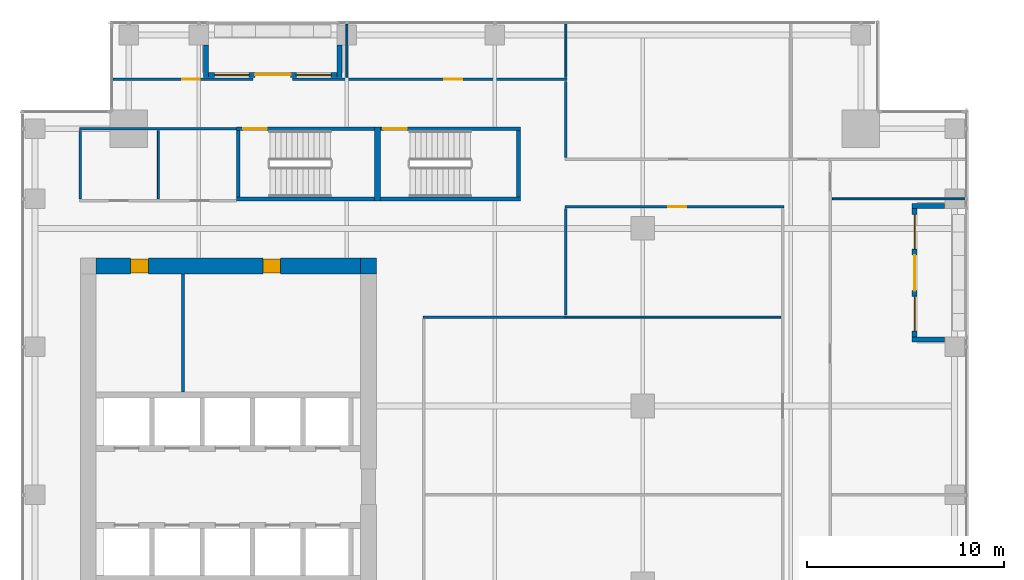
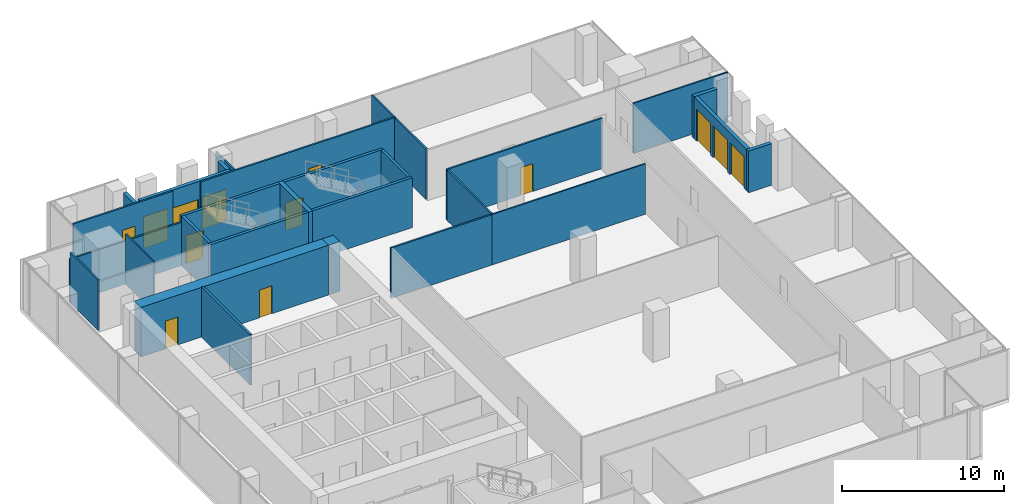
# One storey, part 36 of 40: 29 walls, 9 doors, 4 windows, 13 openings.
"""IFC4 building model written with IfcOpenShell, lengths in metres."""

from ifc_helpers import new_model, si_unit, direction, frame, frame_2d, origin, place, context, subcontext, project, spatial, rectangle, extrude, source, transform, mapped, material, layer, layer_set, type_object, element, fill, save


model = new_model("IFC4")

# Units and contexts
model_context = context("Model", 3, precision=1e-05, world=origin(), true_north=direction((0.0, 1.0)))
body_context = subcontext(model_context, "Body", "Model", "MODEL_VIEW")
ifc_project = project(units=[si_unit("LENGTHUNIT", "METRE"), si_unit("AREAUNIT", "SQUARE_METRE"), si_unit("VOLUMEUNIT", "CUBIC_METRE"), si_unit("PLANEANGLEUNIT", "RADIAN"), si_unit("MASSUNIT", "GRAM", prefix="KILO")], contexts=[model_context])

# Site, building, storey
site_placement = place(None, origin())
site = spatial("IfcSite", under=ifc_project, at=site_placement, CompositionType="ELEMENT")
building_placement = place(site_placement, origin())
building = spatial("IfcBuilding", under=site, at=building_placement, Name="Khomas Fold Tower", CompositionType="ELEMENT")
storey_placement = place(building_placement, frame((0.0, 0.0, 192.699951171875)))
storey = spatial("IfcBuildingStorey", under=building, at=storey_placement, Name="L42", CompositionType="ELEMENT", Elevation=192.699951171875)

# Wall, openings, doors
ifc_material_1 = material(Name="Concrete C60/75", Category="concrete")
ifc_layer_1 = layer(ifc_material_1, 0.800048828125)
ifc_layer_set_1 = layer_set([ifc_layer_1], Name="Concrete C60/75")
wall_type_1 = type_object("IfcWallType", Name="Core wall 800", PredefinedType="SHEAR", material=ifc_layer_set_1)
shared_shape_1 = source(origin(), body_context, "Body", "SweptSolid", [
    extrude(rectangle(XDim=13.39990234375, YDim=0.800048828125, at=frame_2d((6.699951171875, 0.0))), origin(), (0.0, 0.0, 1.0), 3.75),
])
wall_1_placement = place(storey_placement, frame((6.800048828125, 38.60009765625, 0.0), z_axis=(0.0, 0.0, 1.0), x_axis=(1.0, 0.0, 0.0)))
wall_1 = element("IfcWall", 1, at=wall_1_placement, inside=storey, type_object=wall_type_1, Name="Core wall CW-U-N-L35", PredefinedType="SHEAR", context=body_context, shape_type="MappedRepresentation", body=[
    mapped(shared_shape_1, transform((0.0, 0.0, 0.0))),
])
shared_shape_2 = source(origin(), body_context, "Body", "SweptSolid", [
    extrude(rectangle(XDim=0.89990234375, YDim=2.10009765625, at=frame_2d((0.449951171875, 1.050048828125))), frame((0.0, 0.409912109375, 0.0), z_axis=(0.0, -1.0, 0.0), x_axis=(1.0, 0.0, 0.0)), (0.0, 0.0, 1.0), 0.820068359375),
])
opening_1_placement = place(wall_1_placement, frame((1.75, 0.0, 0.0)))
opening_1 = element("IfcOpeningElement", 2, at=opening_1_placement, cuts=wall_1, Name="Opening 0003", PredefinedType="OPENING", context=body_context, shape_type="MappedRepresentation", body=[
    mapped(shared_shape_2, transform((0.0, 0.0, 0.0))),
])
opening_2_placement = place(wall_1_placement, frame((8.449951171875, 0.0, 0.0)))
opening_2 = element("IfcOpeningElement", 3, at=opening_2_placement, cuts=wall_1, Name="Opening 0008", PredefinedType="OPENING", context=body_context, shape_type="MappedRepresentation", body=[
    mapped(shared_shape_2, transform((0.0, 0.0, 0.0))),
])
ifc_material_2 = material(Name="Steel door leaf", Category="steel")
door_type_1 = type_object("IfcDoorType", Name="Plant room door 900x2100 right-hand", OperationType="SINGLE_SWING_RIGHT", PredefinedType="DOOR", material=ifc_material_2)
shared_shape_3 = source(origin(), body_context, "Body", "SweptSolid", [
    extrude(rectangle(XDim=0.89990234375, YDim=2.10009765625, at=frame_2d((0.449951171875, 1.050048828125))), frame((0.0, 0.35009765625, 0.0), z_axis=(0.0, -1.0, 0.0), x_axis=(1.0, 0.0, 0.0)), (0.0, 0.0, 1.0), 0.699951171875),
])
door_1_placement = place(opening_1_placement, origin())
door_1 = element("IfcDoor", 4, at=door_1_placement, inside=storey, type_object=door_type_1, Name="Plant room door", OperationType="SINGLE_SWING_RIGHT", OverallHeight=2.10009765625, OverallWidth=0.89990234375, PredefinedType="DOOR", context=body_context, shape_type="MappedRepresentation", body=[
    mapped(shared_shape_3, transform((0.0, 0.0, 0.0))),
])
fill(opening_1, door_1)
ifc_material_3 = material(Name="Timber door leaf", Category="wood")
door_type_2 = type_object("IfcDoorType", Name="Door 900x2100 right-hand", OperationType="SINGLE_SWING_RIGHT", PredefinedType="DOOR", material=ifc_material_3)
door_2_placement = place(opening_2_placement, origin())
door_2 = element("IfcDoor", 5, at=door_2_placement, inside=storey, type_object=door_type_2, Name="Door", OperationType="SINGLE_SWING_RIGHT", OverallHeight=2.10009765625, OverallWidth=0.89990234375, PredefinedType="DOOR", context=body_context, shape_type="MappedRepresentation", body=[
    mapped(shared_shape_3, transform((0.0, 0.0, 0.0))),
])
fill(opening_2, door_2)

# Wall
ifc_material_4 = material(Name="Concrete C60/75", Category="concrete")
ifc_layer_2 = layer(ifc_material_4, 0.800048828125)
ifc_layer_set_2 = layer_set([ifc_layer_2], Name="Concrete C60/75")
wall_type_2 = type_object("IfcWallType", Name="Core corner wall 800", PredefinedType="SHEAR", material=ifc_layer_set_2)
shared_shape_4 = source(origin(), body_context, "Body", "SweptSolid", [
    extrude(rectangle(XDim=0.800048828125, YDim=0.800048828125, at=frame_2d((0.39990234375, 0.0))), origin(), (0.0, 0.0, 1.0), 3.75),
])
wall_2_placement = place(storey_placement, frame((20.199951171875, 38.60009765625, 0.0), z_axis=(0.0, 0.0, 1.0), x_axis=(1.0, 0.0, 0.0)))
element("IfcWall", 6, at=wall_2_placement, inside=storey, type_object=wall_type_2, Name="Core wall CW-U-NE-L35", PredefinedType="SHEAR", context=body_context, shape_type="MappedRepresentation", body=[
    mapped(shared_shape_4, transform((0.0, 0.0, 0.0))),
])

# Wall, opening, door
ifc_material_5 = material(Name="Concrete C50/60", Category="concrete")
ifc_layer_3 = layer(ifc_material_5, 0.199951171875)
ifc_layer_set_3 = layer_set([ifc_layer_3], Name="Concrete C50/60")
wall_type_3 = type_object("IfcWallType", Name="Stair wall 200", PredefinedType="SHEAR", material=ifc_layer_set_3)
shared_shape_5 = source(origin(), body_context, "Body", "SweptSolid", [
    extrude(rectangle(XDim=7.0, YDim=0.199951171875, at=frame_2d((3.5, 0.0))), origin(), (0.0, 0.0, 1.0), 3.75),
])
wall_3_placement = place(storey_placement, frame((13.89990234375, 45.550048828125, 0.0), z_axis=(0.0, 0.0, 1.0), x_axis=(1.0, 0.0, 0.0)))
wall_3 = element("IfcWall", 7, at=wall_3_placement, inside=storey, type_object=wall_type_3, Name="Stair wall SW-ST1-N", PredefinedType="SHEAR", context=body_context, shape_type="MappedRepresentation", body=[
    mapped(shared_shape_5, transform((0.0, 0.0, 0.0))),
])
shared_shape_6 = source(origin(), body_context, "Body", "SweptSolid", [
    extrude(rectangle(XDim=1.199951171875, YDim=2.10009765625, at=frame_2d((0.60009765625, 1.050048828125))), frame((0.0, 0.10986328125, 0.0), z_axis=(0.0, -1.0, 0.0), x_axis=(1.0, 0.0, 0.0)), (0.0, 0.0, 1.0), 0.219970703125),
])
opening_3_placement = place(wall_3_placement, frame((0.35009765625, 0.0, 0.0)))
opening_3 = element("IfcOpeningElement", 8, at=opening_3_placement, cuts=wall_3, Name="Opening SD-ST1", PredefinedType="OPENING", context=body_context, shape_type="MappedRepresentation", body=[
    mapped(shared_shape_6, transform((0.0, 0.0, 0.0))),
])
ifc_material_6 = material(Name="Steel door leaf", Category="steel")
door_type_3 = type_object("IfcDoorType", Name="Stair door 1200x2100 left-hand", OperationType="SINGLE_SWING_LEFT", PredefinedType="DOOR", material=ifc_material_6)
shared_shape_7 = source(origin(), body_context, "Body", "SweptSolid", [
    extrude(rectangle(XDim=1.199951171875, YDim=2.10009765625, at=frame_2d((0.60009765625, 1.050048828125))), frame((0.0, 0.02490234375, 0.0), z_axis=(0.0, -1.0, 0.0), x_axis=(1.0, 0.0, 0.0)), (0.0, 0.0, 1.0), 0.050048828125),
])
door_3_placement = place(opening_3_placement, origin())
door_3 = element("IfcDoor", 9, at=door_3_placement, inside=storey, type_object=door_type_3, Name="Stair door", OperationType="SINGLE_SWING_LEFT", OverallHeight=2.10009765625, OverallWidth=1.199951171875, PredefinedType="DOOR", context=body_context, shape_type="MappedRepresentation", body=[
    mapped(shared_shape_7, transform((0.0, 0.0, 0.0))),
])
fill(opening_3, door_3)

# Wall
wall_4_placement = place(storey_placement, frame((13.89990234375, 42.0, 0.0), z_axis=(0.0, 0.0, 1.0), x_axis=(1.0, 0.0, 0.0)))
element("IfcWall", 10, at=wall_4_placement, inside=storey, type_object=wall_type_3, Name="Stair wall SW-ST1-S", PredefinedType="SHEAR", context=body_context, shape_type="MappedRepresentation", body=[
    mapped(shared_shape_5, transform((0.0, 0.0, 0.0))),
])

# Wall, opening, door
shared_shape_8 = source(origin(), body_context, "Body", "SweptSolid", [
    extrude(rectangle(XDim=7.10009765625, YDim=0.199951171875, at=frame_2d((3.550048828125, 0.0))), origin(), (0.0, 0.0, 1.0), 3.75),
])
wall_5_placement = place(storey_placement, frame((21.199951171875, 45.550048828125, 0.0), z_axis=(0.0, 0.0, 1.0), x_axis=(1.0, 0.0, 0.0)))
wall_5 = element("IfcWall", 11, at=wall_5_placement, inside=storey, type_object=wall_type_3, Name="Stair wall SW-ST3-N", PredefinedType="SHEAR", context=body_context, shape_type="MappedRepresentation", body=[
    mapped(shared_shape_8, transform((0.0, 0.0, 0.0))),
])
opening_4_placement = place(wall_5_placement, frame((0.14990234375, 0.0, 0.0)))
opening_4 = element("IfcOpeningElement", 12, at=opening_4_placement, cuts=wall_5, Name="Opening SD-ST3", PredefinedType="OPENING", context=body_context, shape_type="MappedRepresentation", body=[
    mapped(shared_shape_6, transform((0.0, 0.0, 0.0))),
])
door_4_placement = place(opening_4_placement, origin())
door_4 = element("IfcDoor", 13, at=door_4_placement, inside=storey, type_object=door_type_3, Name="Stair door", OperationType="SINGLE_SWING_LEFT", OverallHeight=2.10009765625, OverallWidth=1.199951171875, PredefinedType="DOOR", context=body_context, shape_type="MappedRepresentation", body=[
    mapped(shared_shape_7, transform((0.0, 0.0, 0.0))),
])
fill(opening_4, door_4)

# Walls
wall_6_placement = place(storey_placement, frame((21.199951171875, 42.0, 0.0), z_axis=(0.0, 0.0, 1.0), x_axis=(1.0, 0.0, 0.0)))
element("IfcWall", 14, at=wall_6_placement, inside=storey, type_object=wall_type_3, Name="Stair wall SW-ST3-S", PredefinedType="SHEAR", context=body_context, shape_type="MappedRepresentation", body=[
    mapped(shared_shape_8, transform((0.0, 0.0, 0.0))),
])
ifc_material_7 = material(Name="Concrete C50/60", Category="concrete")
ifc_layer_4 = layer(ifc_material_7, 0.300048828125)
ifc_layer_set_4 = layer_set([ifc_layer_4], Name="Concrete C50/60")
wall_type_4 = type_object("IfcWallType", Name="Stair wall 300", PredefinedType="SHEAR", material=ifc_layer_set_4)
shared_shape_9 = source(origin(), body_context, "Body", "SweptSolid", [
    extrude(rectangle(XDim=3.75, YDim=0.300048828125, at=frame_2d((1.875, 0.0))), origin(), (0.0, 0.0, 1.0), 3.75),
])
wall_7_placement = place(storey_placement, frame((21.050048828125, 41.89990234375, 0.0), z_axis=(0.0, 0.0, 1.0), x_axis=(0.0, 1.0, 0.0)))
element("IfcWall", 15, at=wall_7_placement, inside=storey, type_object=wall_type_4, Name="Stair wall SW-ST1-E", PredefinedType="SHEAR", context=body_context, shape_type="MappedRepresentation", body=[
    mapped(shared_shape_9, transform((0.0, 0.0, 0.0))),
])
shared_shape_10 = source(origin(), body_context, "Body", "SweptSolid", [
    extrude(rectangle(XDim=3.349853515625, YDim=0.199951171875, at=frame_2d((1.6748046875, 0.0))), origin(), (0.0, 0.0, 1.0), 3.75),
])
for number, where, z_axis, x_axis, name in (
    (16, (14.0, 42.10009765625, 0.0), (0.0, 0.0, 1.0), (0.0, 1.0, 0.0), "Stair wall SW-ST1-W"),
    (17, (28.199951171875, 42.10009765625, 0.0), (0.0, 0.0, 1.0), (0.0, 1.0, 0.0), "Stair wall SW-ST3-E"),
):
    element("IfcWall", number, at=place(storey_placement, frame(where, z_axis=z_axis, x_axis=x_axis)), inside=storey, type_object=wall_type_3, Name=name, PredefinedType="SHEAR", context=body_context, shape_type="MappedRepresentation", body=[
        mapped(shared_shape_10, transform((0.0, 0.0, 0.0))),
    ])

# Wall, openings, door, windows
ifc_material_8 = material(Name="Natural stone", Category="masonry")
ifc_layer_5 = layer(ifc_material_8, 0.0400390625)
ifc_material_9 = material(Name="Mineral wool insulation", Category="insulation")
ifc_layer_6 = layer(ifc_material_9, 0.10009765625)
ifc_material_10 = material(Name="Masonry", Category="masonry")
ifc_layer_7 = layer(ifc_material_10, 0.110107421875)
ifc_layer_set_5 = layer_set([ifc_layer_5, ifc_layer_6, ifc_layer_7], Name="Stone-faced insulated masonry")
wall_type_5 = type_object("IfcWallType", Name="BL-Balcony wall", PredefinedType="SOLIDWALL", material=ifc_layer_set_5)
shared_shape_11 = source(origin(), body_context, "Body", "SweptSolid", [
    extrude(rectangle(XDim=6.5, YDim=0.25, at=frame_2d((3.25, 0.0))), origin(), (0.0, 0.0, 1.0), 3.75),
])
wall_8_placement = place(storey_placement, frame((12.5, 48.27490234375, 0.0), z_axis=(0.0, 0.0, 1.0), x_axis=(1.0, 0.0, 0.0)))
wall_8 = element("IfcWall", 18, at=wall_8_placement, inside=storey, type_object=wall_type_5, Name="Balcony wall BAL-L42-N1", PredefinedType="SOLIDWALL", context=body_context, shape_type="MappedRepresentation", body=[
    mapped(shared_shape_11, transform((0.0, 0.0, 0.0))),
])
shared_shape_12 = source(origin(), body_context, "Body", "SweptSolid", [
    extrude(rectangle(XDim=1.75, YDim=2.39990234375, at=frame_2d((0.875, 1.199951171875))), frame((0.0, 0.135009765625, 0.0), z_axis=(0.0, -1.0, 0.0), x_axis=(1.0, 0.0, 0.0)), (0.0, 0.0, 1.0), 0.27001953125),
])
opening_5_placement = place(wall_8_placement, frame((0.300048828125, 0.0, 0.0)))
opening_5 = element("IfcOpeningElement", 19, at=opening_5_placement, cuts=wall_8, Name="Opening BL-W3", PredefinedType="OPENING", context=body_context, shape_type="MappedRepresentation", body=[
    mapped(shared_shape_12, transform((0.0, 0.0, 0.0))),
])
opening_6_placement = place(wall_8_placement, frame((4.449951171875, 0.0, 0.0)))
opening_6 = element("IfcOpeningElement", 20, at=opening_6_placement, cuts=wall_8, Name="Opening BL-W3", PredefinedType="OPENING", context=body_context, shape_type="MappedRepresentation", body=[
    mapped(shared_shape_12, transform((0.0, 0.0, 0.0))),
])
shared_shape_13 = source(origin(), body_context, "Body", "SweptSolid", [
    extrude(rectangle(XDim=1.800048828125, YDim=2.39990234375, at=frame_2d((0.89990234375, 1.199951171875))), frame((0.0, 0.135009765625, 0.0), z_axis=(0.0, -1.0, 0.0), x_axis=(1.0, 0.0, 0.0)), (0.0, 0.0, 1.0), 0.27001953125),
])
opening_7_placement = place(wall_8_placement, frame((2.35009765625, 0.0, 0.0)))
opening_7 = element("IfcOpeningElement", 21, at=opening_7_placement, cuts=wall_8, Name="Opening BD422", PredefinedType="OPENING", context=body_context, shape_type="MappedRepresentation", body=[
    mapped(shared_shape_13, transform((0.0, 0.0, 0.0))),
])
ifc_material_11 = material(Name="Aluminium framed double glazing", Category="aluminium")
door_type_4 = type_object("IfcDoorType", Name="BL-Glazed balcony door 1800 x 2400", OperationType="DOUBLE_DOOR_DOUBLE_SWING", PredefinedType="DOOR", material=ifc_material_11)
shared_shape_14 = source(origin(), body_context, "Body", "SweptSolid", [
    extrude(rectangle(XDim=1.800048828125, YDim=2.39990234375, at=frame_2d((0.89990234375, 1.199951171875))), frame((0.0, 0.02490234375, 0.0), z_axis=(0.0, -1.0, 0.0), x_axis=(1.0, 0.0, 0.0)), (0.0, 0.0, 1.0), 0.050048828125),
])
door_5_placement = place(opening_7_placement, origin())
door_5 = element("IfcDoor", 22, at=door_5_placement, inside=storey, type_object=door_type_4, Name="Balcony door BD422", OperationType="DOUBLE_DOOR_DOUBLE_SWING", OverallHeight=2.39990234375, OverallWidth=1.800048828125, PredefinedType="DOOR", context=body_context, shape_type="MappedRepresentation", body=[
    mapped(shared_shape_14, transform((0.0, 0.0, 0.0))),
])
fill(opening_7, door_5)
ifc_material_12 = material(Name="Aluminium framed double glazing", Category="aluminium")
window_type = type_object("IfcWindowType", Name="BL-Fixed glazing 1750 x 2400", PartitioningType="SINGLE_PANEL", PredefinedType="WINDOW", material=ifc_material_12)
shared_shape_15 = source(origin(), body_context, "Body", "SweptSolid", [
    extrude(rectangle(XDim=1.75, YDim=2.39990234375, at=frame_2d((0.875, 1.199951171875))), frame((0.0, 0.030029296875, 0.0), z_axis=(0.0, -1.0, 0.0), x_axis=(1.0, 0.0, 0.0)), (0.0, 0.0, 1.0), 0.06005859375),
])
window_1_placement = place(opening_5_placement, origin())
window_1 = element("IfcWindow", 23, at=window_1_placement, inside=storey, type_object=window_type, Name="Balcony glazing BAL-L42-N1-1", OverallHeight=2.39990234375, OverallWidth=1.75, PartitioningType="SINGLE_PANEL", PredefinedType="WINDOW", context=body_context, shape_type="MappedRepresentation", body=[
    mapped(shared_shape_15, transform((0.0, 0.0, 0.0))),
])
fill(opening_5, window_1)
window_2_placement = place(opening_6_placement, origin())
window_2 = element("IfcWindow", 24, at=window_2_placement, inside=storey, type_object=window_type, Name="Balcony glazing BAL-L42-N1-2", OverallHeight=2.39990234375, OverallWidth=1.75, PartitioningType="SINGLE_PANEL", PredefinedType="WINDOW", context=body_context, shape_type="MappedRepresentation", body=[
    mapped(shared_shape_15, transform((0.0, 0.0, 0.0))),
])
fill(opening_6, window_2)

# Walls
shared_shape_16 = source(origin(), body_context, "Body", "SweptSolid", [
    extrude(rectangle(XDim=1.650146484375, YDim=0.25, at=frame_2d((0.8251953125, 0.0))), origin(), (0.0, 0.0, 1.0), 3.449951171875),
])
for number, where, z_axis, x_axis, name in (
    (25, (12.375, 49.800048828125, 0.0), (0.0, 0.0, 1.0), (0.0, -1.0, 0.0), "Balcony return wall BAL-L42-N1-lo"),
    (26, (19.125, 49.800048828125, 0.0), (0.0, 0.0, 1.0), (0.0, -1.0, 0.0), "Balcony return wall BAL-L42-N1-hi"),
):
    element("IfcWall", number, at=place(storey_placement, frame(where, z_axis=z_axis, x_axis=x_axis)), inside=storey, type_object=wall_type_5, Name=name, PredefinedType="SOLIDWALL", context=body_context, shape_type="MappedRepresentation", body=[
        mapped(shared_shape_16, transform((0.0, 0.0, 0.0))),
    ])

# Wall, openings, door, windows
shared_shape_17 = source(origin(), body_context, "Body", "SweptSolid", [
    extrude(rectangle(XDim=6.5, YDim=0.25, at=frame_2d((3.25, 0.0))), origin(), (0.0, 0.0, 1.0), 3.150146484375),
])
wall_9_placement = place(storey_placement, frame((48.27490234375, 35.0, 0.0), z_axis=(0.0, 0.0, 1.0), x_axis=(0.0, 1.0, 0.0)))
wall_9 = element("IfcWall", 27, at=wall_9_placement, inside=storey, type_object=wall_type_5, Name="Balcony wall BAL-L42-E4", PredefinedType="SOLIDWALL", context=body_context, shape_type="MappedRepresentation", body=[
    mapped(shared_shape_17, transform((0.0, 0.0, 0.0))),
])
opening_8_placement = place(wall_9_placement, frame((0.300048828125, 0.0, 0.0)))
opening_8 = element("IfcOpeningElement", 28, at=opening_8_placement, cuts=wall_9, Name="Opening BL-W3", PredefinedType="OPENING", context=body_context, shape_type="MappedRepresentation", body=[
    mapped(shared_shape_12, transform((0.0, 0.0, 0.0))),
])
opening_9_placement = place(wall_9_placement, frame((4.449951171875, 0.0, 0.0)))
opening_9 = element("IfcOpeningElement", 29, at=opening_9_placement, cuts=wall_9, Name="Opening BL-W3", PredefinedType="OPENING", context=body_context, shape_type="MappedRepresentation", body=[
    mapped(shared_shape_12, transform((0.0, 0.0, 0.0))),
])
opening_10_placement = place(wall_9_placement, frame((2.35009765625, 0.0, 0.0)))
opening_10 = element("IfcOpeningElement", 30, at=opening_10_placement, cuts=wall_9, Name="Opening BD421", PredefinedType="OPENING", context=body_context, shape_type="MappedRepresentation", body=[
    mapped(shared_shape_13, transform((0.0, 0.0, 0.0))),
])
door_6_placement = place(opening_10_placement, origin())
door_6 = element("IfcDoor", 31, at=door_6_placement, inside=storey, type_object=door_type_4, Name="Balcony door BD421", OperationType="DOUBLE_DOOR_DOUBLE_SWING", OverallHeight=2.39990234375, OverallWidth=1.800048828125, PredefinedType="DOOR", context=body_context, shape_type="MappedRepresentation", body=[
    mapped(shared_shape_14, transform((0.0, 0.0, 0.0))),
])
fill(opening_10, door_6)
window_3_placement = place(opening_8_placement, origin())
window_3 = element("IfcWindow", 32, at=window_3_placement, inside=storey, type_object=window_type, Name="Balcony glazing BAL-L42-E4-1", OverallHeight=2.39990234375, OverallWidth=1.75, PartitioningType="SINGLE_PANEL", PredefinedType="WINDOW", context=body_context, shape_type="MappedRepresentation", body=[
    mapped(shared_shape_15, transform((0.0, 0.0, 0.0))),
])
fill(opening_8, window_3)
window_4_placement = place(opening_9_placement, origin())
window_4 = element("IfcWindow", 33, at=window_4_placement, inside=storey, type_object=window_type, Name="Balcony glazing BAL-L42-E4-2", OverallHeight=2.39990234375, OverallWidth=1.75, PartitioningType="SINGLE_PANEL", PredefinedType="WINDOW", context=body_context, shape_type="MappedRepresentation", body=[
    mapped(shared_shape_15, transform((0.0, 0.0, 0.0))),
])
fill(opening_9, window_4)

# Walls
shared_shape_18 = source(origin(), body_context, "Body", "SweptSolid", [
    extrude(rectangle(XDim=1.650146484375, YDim=0.25, at=frame_2d((0.8251953125, 0.0))), origin(), (0.0, 0.0, 1.0), 3.150146484375),
])
for number, where, z_axis, x_axis, name in (
    (34, (49.800048828125, 34.875, 0.0), (0.0, 0.0, 1.0), (-1.0, 0.0, 0.0), "Balcony return wall BAL-L42-E4-lo"),
    (35, (49.800048828125, 41.625, 0.0), (0.0, 0.0, 1.0), (-1.0, 0.0, 0.0), "Balcony return wall BAL-L42-E4-hi"),
):
    element("IfcWall", number, at=place(storey_placement, frame(where, z_axis=z_axis, x_axis=x_axis)), inside=storey, type_object=wall_type_5, Name=name, PredefinedType="SOLIDWALL", context=body_context, shape_type="MappedRepresentation", body=[
        mapped(shared_shape_18, transform((0.0, 0.0, 0.0))),
    ])
ifc_material_13 = material(Name="Plasterboard partition")
ifc_layer_8 = layer(ifc_material_13, 0.125)
ifc_layer_set_6 = layer_set([ifc_layer_8], Name="Plasterboard partition")
wall_type_6 = type_object("IfcWallType", Name="Partition PW2 125", PredefinedType="PARTITIONING", material=ifc_layer_set_6)
shared_shape_19 = source(origin(), body_context, "Body", "SweptSolid", [
    extrude(rectangle(XDim=7.949951171875, YDim=0.125, at=frame_2d((3.97509765625, 0.0))), origin(), (0.0, 0.0, 1.0), 3.25),
])
wall_10_placement = place(storey_placement, frame((5.949951171875, 45.550048828125, 0.0), z_axis=(0.0, 0.0, 1.0), x_axis=(1.0, 0.0, 0.0)))
element("IfcWall", 36, at=wall_10_placement, inside=storey, type_object=wall_type_6, Name="Partition", PredefinedType="PARTITIONING", context=body_context, shape_type="MappedRepresentation", body=[
    mapped(shared_shape_19, transform((0.0, 0.0, 0.0))),
])
shared_shape_20 = source(origin(), body_context, "Body", "SweptSolid", [
    extrude(rectangle(XDim=3.449951171875, YDim=0.125, at=frame_2d((1.72509765625, 0.0))), origin(), (0.0, 0.0, 1.0), 3.800048828125),
])
wall_11_placement = place(storey_placement, frame((6.0, 42.0, 0.0), z_axis=(0.0, 0.0, 1.0), x_axis=(0.0, 1.0, 0.0)))
element("IfcWall", 37, at=wall_11_placement, inside=storey, type_object=wall_type_6, Name="Partition", PredefinedType="PARTITIONING", context=body_context, shape_type="MappedRepresentation", body=[
    mapped(shared_shape_20, transform((0.0, 0.0, 0.0))),
])
ifc_material_14 = material(Name="Plasterboard partition")
ifc_layer_9 = layer(ifc_material_14, 0.10009765625)
ifc_layer_set_7 = layer_set([ifc_layer_9], Name="Plasterboard partition")
wall_type_7 = type_object("IfcWallType", Name="Partition PW1 100", PredefinedType="PARTITIONING", material=ifc_layer_set_7)
shared_shape_21 = source(origin(), body_context, "Body", "SweptSolid", [
    extrude(rectangle(XDim=3.449951171875, YDim=0.10009765625, at=frame_2d((1.72509765625, 0.0))), origin(), (0.0, 0.0, 1.0), 3.800048828125),
])
wall_12_placement = place(storey_placement, frame((9.949951171875, 42.0, 0.0), z_axis=(0.0, 0.0, 1.0), x_axis=(0.0, 1.0, 0.0)))
element("IfcWall", 38, at=wall_12_placement, inside=storey, type_object=wall_type_7, Name="Partition", PredefinedType="PARTITIONING", context=body_context, shape_type="MappedRepresentation", body=[
    mapped(shared_shape_21, transform((0.0, 0.0, 0.0))),
])
shared_shape_22 = source(origin(), body_context, "Body", "SweptSolid", [
    extrude(rectangle(XDim=2.7001953125, YDim=0.10009765625, at=frame_2d((1.35009765625, 0.0))), origin(), (0.0, 0.0, 1.0), 3.420166015625),
])
wall_13_placement = place(storey_placement, frame((19.5, 48.14990234375, 0.0), z_axis=(0.0, 0.0, 1.0), x_axis=(0.0, 1.0, 0.0)))
element("IfcWall", 39, at=wall_13_placement, inside=storey, type_object=wall_type_7, Name="Partition", PredefinedType="PARTITIONING", context=body_context, shape_type="MappedRepresentation", body=[
    mapped(shared_shape_22, transform((0.0, 0.0, 0.0))),
])
shared_shape_23 = source(origin(), body_context, "Body", "SweptSolid", [
    extrude(rectangle(XDim=6.75, YDim=0.10009765625, at=frame_2d((3.375, 0.0))), origin(), (0.0, 0.0, 1.0), 3.800048828125),
])
wall_14_placement = place(storey_placement, frame((44.10009765625, 42.0, 0.0), z_axis=(0.0, 0.0, 1.0), x_axis=(1.0, 0.0, 0.0)))
element("IfcWall", 40, at=wall_14_placement, inside=storey, type_object=wall_type_7, Name="Partition", PredefinedType="PARTITIONING", context=body_context, shape_type="MappedRepresentation", body=[
    mapped(shared_shape_23, transform((0.0, 0.0, 0.0))),
])
shared_shape_24 = source(origin(), body_context, "Body", "SweptSolid", [
    extrude(rectangle(XDim=2.7001953125, YDim=0.10009765625, at=frame_2d((1.35009765625, 0.0))), origin(), (0.0, 0.0, 1.0), 3.800048828125),
])
wall_15_placement = place(storey_placement, frame((30.60009765625, 48.14990234375, 0.0), z_axis=(0.0, 0.0, 1.0), x_axis=(0.0, 1.0, 0.0)))
element("IfcWall", 41, at=wall_15_placement, inside=storey, type_object=wall_type_7, Name="Partition", PredefinedType="PARTITIONING", context=body_context, shape_type="MappedRepresentation", body=[
    mapped(shared_shape_24, transform((0.0, 0.0, 0.0))),
])

# Wall, opening, door
shared_shape_25 = source(origin(), body_context, "Body", "SweptSolid", [
    extrude(rectangle(XDim=7.10009765625, YDim=0.125, at=frame_2d((3.550048828125, 0.0))), origin(), (0.0, 0.0, 1.0), 3.800048828125),
])
wall_16_placement = place(storey_placement, frame((7.64990234375, 48.050048828125, 0.0), z_axis=(0.0, 0.0, 1.0), x_axis=(1.0, 0.0, 0.0)))
wall_16 = element("IfcWall", 42, at=wall_16_placement, inside=storey, type_object=wall_type_6, Name="Partition", PredefinedType="PARTITIONING", context=body_context, shape_type="MappedRepresentation", body=[
    mapped(shared_shape_25, transform((0.0, 0.0, 0.0))),
])
shared_shape_26 = source(origin(), body_context, "Body", "SweptSolid", [
    extrude(rectangle(XDim=0.89990234375, YDim=2.10009765625, at=frame_2d((0.449951171875, 1.050048828125))), frame((0.0, 0.072509765625, 0.0), z_axis=(0.0, -1.0, 0.0), x_axis=(1.0, 0.0, 0.0)), (0.0, 0.0, 1.0), 0.14501953125),
])
opening_11_placement = place(wall_16_placement, frame((3.5, 0.0, 0.0)))
opening_11 = element("IfcOpeningElement", 43, at=opening_11_placement, cuts=wall_16, Name="Opening 0008", PredefinedType="OPENING", context=body_context, shape_type="MappedRepresentation", body=[
    mapped(shared_shape_26, transform((0.0, 0.0, 0.0))),
])
shared_shape_27 = source(origin(), body_context, "Body", "SweptSolid", [
    extrude(rectangle(XDim=0.89990234375, YDim=2.10009765625, at=frame_2d((0.449951171875, 1.050048828125))), frame((0.0, 0.02490234375, 0.0), z_axis=(0.0, -1.0, 0.0), x_axis=(1.0, 0.0, 0.0)), (0.0, 0.0, 1.0), 0.050048828125),
])
door_7_placement = place(opening_11_placement, origin())
door_7 = element("IfcDoor", 44, at=door_7_placement, inside=storey, type_object=door_type_2, Name="Door", OperationType="SINGLE_SWING_RIGHT", OverallHeight=2.10009765625, OverallWidth=0.89990234375, PredefinedType="DOOR", context=body_context, shape_type="MappedRepresentation", body=[
    mapped(shared_shape_27, transform((0.0, 0.0, 0.0))),
])
fill(opening_11, door_7)

shared_shape_28 = source(origin(), body_context, "Body", "SweptSolid", [
    extrude(rectangle(XDim=13.89990234375, YDim=0.125, at=frame_2d((6.949951171875, 0.0))), origin(), (0.0, 0.0, 1.0), 3.800048828125),
])
wall_17_placement = place(storey_placement, frame((16.75, 48.050048828125, 0.0), z_axis=(0.0, 0.0, 1.0), x_axis=(1.0, 0.0, 0.0)))
wall_17 = element("IfcWall", 45, at=wall_17_placement, inside=storey, type_object=wall_type_6, Name="Partition", PredefinedType="PARTITIONING", context=body_context, shape_type="MappedRepresentation", body=[
    mapped(shared_shape_28, transform((0.0, 0.0, 0.0))),
])
opening_12_placement = place(wall_17_placement, frame((7.699951171875, 0.0, 0.0)))
opening_12 = element("IfcOpeningElement", 46, at=opening_12_placement, cuts=wall_17, Name="Opening 0008", PredefinedType="OPENING", context=body_context, shape_type="MappedRepresentation", body=[
    mapped(shared_shape_26, transform((0.0, 0.0, 0.0))),
])
door_8_placement = place(opening_12_placement, origin())
door_8 = element("IfcDoor", 47, at=door_8_placement, inside=storey, type_object=door_type_2, Name="Door", OperationType="SINGLE_SWING_RIGHT", OverallHeight=2.10009765625, OverallWidth=0.89990234375, PredefinedType="DOOR", context=body_context, shape_type="MappedRepresentation", body=[
    mapped(shared_shape_27, transform((0.0, 0.0, 0.0))),
])
fill(opening_12, door_8)

# Walls
ifc_material_15 = material(Name="Plasterboard fire partition")
ifc_layer_10 = layer(ifc_material_15, 0.14990234375)
ifc_layer_set_8 = layer_set([ifc_layer_10], Name="Plasterboard fire partition")
wall_type_8 = type_object("IfcWallType", Name="Plant room wall PW3 150", PredefinedType="PARTITIONING", material=ifc_layer_set_8)
shared_shape_29 = source(origin(), body_context, "Body", "SweptSolid", [
    extrude(rectangle(XDim=6.0, YDim=0.14990234375, at=frame_2d((3.0, 0.0))), origin(), (0.0, 0.0, 1.0), 3.800048828125),
])
wall_18_placement = place(storey_placement, frame((11.199951171875, 32.199951171875, 0.0), z_axis=(0.0, 0.0, 1.0), x_axis=(0.0, 1.0, 0.0)))
element("IfcWall", 48, at=wall_18_placement, inside=storey, type_object=wall_type_8, Name="Plant room wall", PredefinedType="PARTITIONING", context=body_context, shape_type="MappedRepresentation", body=[
    mapped(shared_shape_29, transform((0.0, 0.0, 0.0))),
])
shared_shape_30 = source(origin(), body_context, "Body", "SweptSolid", [
    extrude(rectangle(XDim=7.199951171875, YDim=0.125, at=frame_2d((3.60009765625, 0.0))), origin(), (0.0, 0.0, 1.0), 3.800048828125),
])
wall_19_placement = place(storey_placement, frame((23.35009765625, 36.0, 0.0), z_axis=(0.0, 0.0, 1.0), x_axis=(1.0, 0.0, 0.0)))
element("IfcWall", 49, at=wall_19_placement, inside=storey, type_object=wall_type_6, Name="Partition", PredefinedType="PARTITIONING", context=body_context, shape_type="MappedRepresentation", body=[
    mapped(shared_shape_30, transform((0.0, 0.0, 0.0))),
])
shared_shape_31 = source(origin(), body_context, "Body", "SweptSolid", [
    extrude(rectangle(XDim=10.949951171875, YDim=0.10009765625, at=frame_2d((5.47509765625, 0.0))), origin(), (0.0, 0.0, 1.0), 3.800048828125),
])
wall_20_placement = place(storey_placement, frame((30.550048828125, 36.0, 0.0), z_axis=(0.0, 0.0, 1.0), x_axis=(1.0, 0.0, 0.0)))
element("IfcWall", 50, at=wall_20_placement, inside=storey, type_object=wall_type_7, Name="Partition", PredefinedType="PARTITIONING", context=body_context, shape_type="MappedRepresentation", body=[
    mapped(shared_shape_31, transform((0.0, 0.0, 0.0))),
])
shared_shape_32 = source(origin(), body_context, "Body", "SweptSolid", [
    extrude(rectangle(XDim=5.39990234375, YDim=0.125, at=frame_2d((2.699951171875, 0.0))), origin(), (0.0, 0.0, 1.0), 3.800048828125),
])
wall_21_placement = place(storey_placement, frame((30.60009765625, 36.10009765625, 0.0), z_axis=(0.0, 0.0, 1.0), x_axis=(0.0, 1.0, 0.0)))
element("IfcWall", 51, at=wall_21_placement, inside=storey, type_object=wall_type_6, Name="Partition", PredefinedType="PARTITIONING", context=body_context, shape_type="MappedRepresentation", body=[
    mapped(shared_shape_32, transform((0.0, 0.0, 0.0))),
])

# Wall, opening, door
shared_shape_33 = source(origin(), body_context, "Body", "SweptSolid", [
    extrude(rectangle(XDim=11.099853515625, YDim=0.125, at=frame_2d((5.5498046875, 0.0))), origin(), (0.0, 0.0, 1.0), 3.800048828125),
])
wall_22_placement = place(storey_placement, frame((30.550048828125, 41.60009765625, 0.0), z_axis=(0.0, 0.0, 1.0), x_axis=(1.0, 0.0, 0.0)))
wall_22 = element("IfcWall", 52, at=wall_22_placement, inside=storey, type_object=wall_type_6, Name="Partition", PredefinedType="PARTITIONING", context=body_context, shape_type="MappedRepresentation", body=[
    mapped(shared_shape_33, transform((0.0, 0.0, 0.0))),
])
opening_13_placement = place(wall_22_placement, frame((5.25, 0.0, 0.0)))
opening_13 = element("IfcOpeningElement", 53, at=opening_13_placement, cuts=wall_22, Name="Opening 0008", PredefinedType="OPENING", context=body_context, shape_type="MappedRepresentation", body=[
    mapped(shared_shape_26, transform((0.0, 0.0, 0.0))),
])
door_9_placement = place(opening_13_placement, origin())
door_9 = element("IfcDoor", 54, at=door_9_placement, inside=storey, type_object=door_type_2, Name="Door", OperationType="SINGLE_SWING_RIGHT", OverallHeight=2.10009765625, OverallWidth=0.89990234375, PredefinedType="DOOR", context=body_context, shape_type="MappedRepresentation", body=[
    mapped(shared_shape_27, transform((0.0, 0.0, 0.0))),
])
fill(opening_13, door_9)

# Wall
shared_shape_34 = source(origin(), body_context, "Body", "SweptSolid", [
    extrude(rectangle(XDim=3.849853515625, YDim=0.125, at=frame_2d((1.9248046875, 0.0))), origin(), (0.0, 0.0, 1.0), 3.800048828125),
])
wall_23_placement = place(storey_placement, frame((30.60009765625, 44.10009765625, 0.0), z_axis=(0.0, 0.0, 1.0), x_axis=(0.0, 1.0, 0.0)))
element("IfcWall", 55, at=wall_23_placement, inside=storey, type_object=wall_type_6, Name="Partition", PredefinedType="PARTITIONING", context=body_context, shape_type="MappedRepresentation", body=[
    mapped(shared_shape_34, transform((0.0, 0.0, 0.0))),
])

save(model, "model.ifc")
